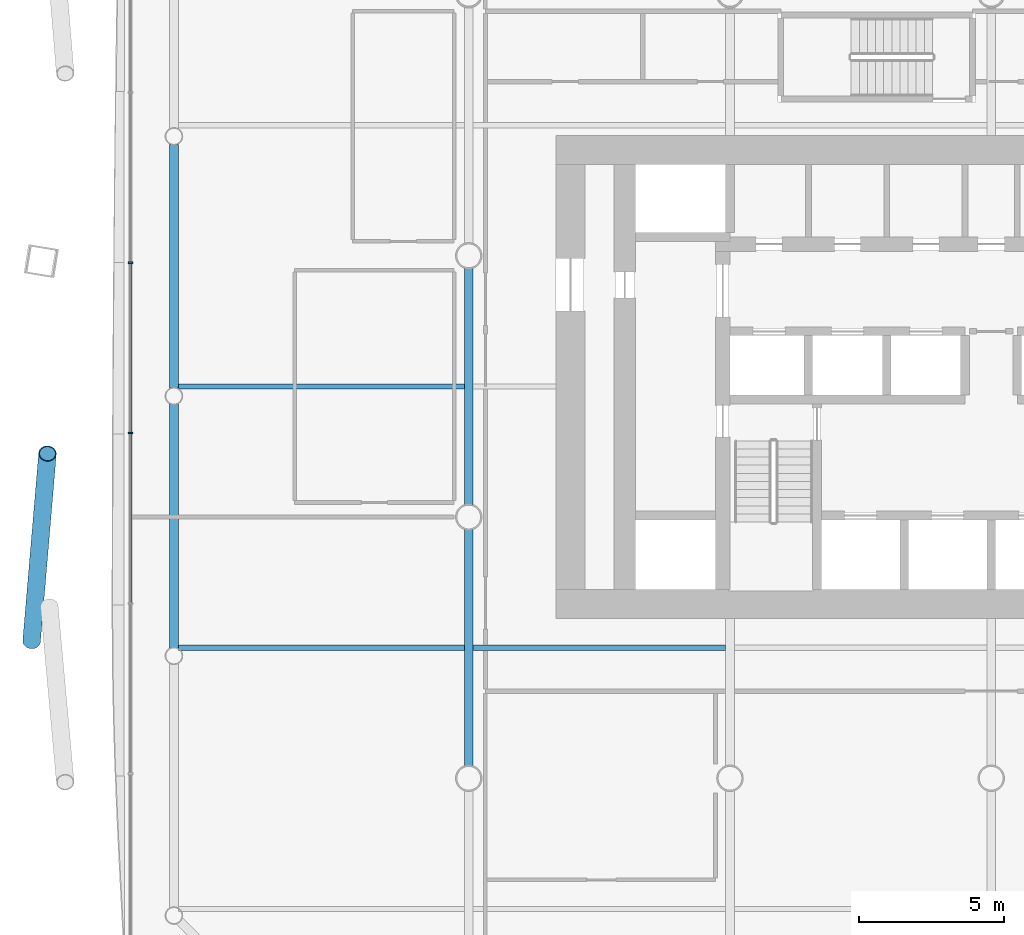
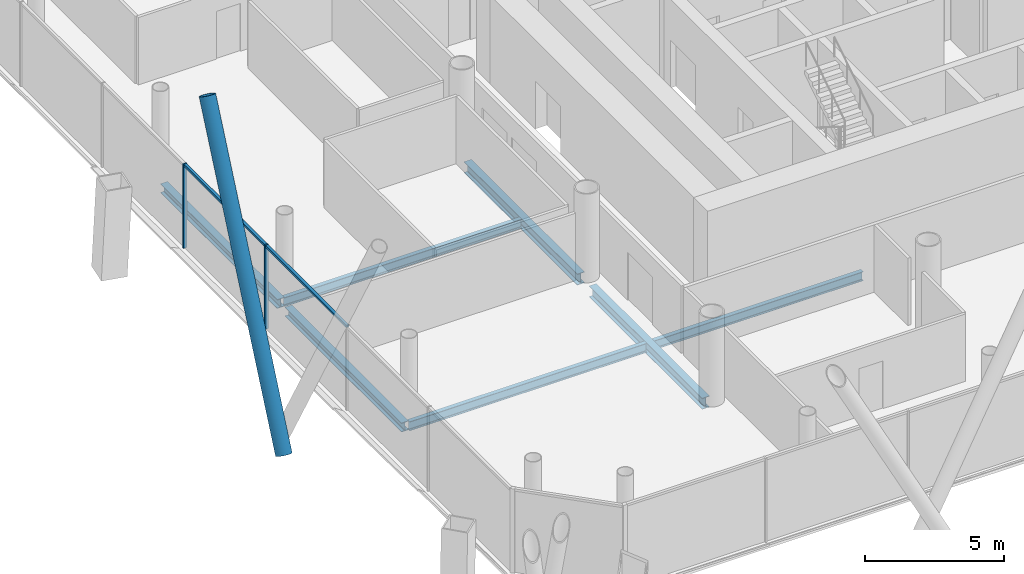
# One storey, part 5 of 25: 7 beams, 5 members, 1 element without a shape of its own.
"""IFC4 building model written with IfcOpenShell, lengths in metres."""

import ifcopenshell
import ifcopenshell.guid

model = None  # the IFC model being written
_history = None  # IfcOwnerHistory: only IFC2X3 demands one
_inside = {}  # id of a spatial element -> (the spatial element, [elements in it])
_under = {}  # id of a project, library or spatial element -> (it, [spatial elements below it])
_declared = {}  # id of a project -> (the project, [libraries it declares])
_typed = {}  # id of a type object -> (the type object, [elements of that type])
_made_of = {}  # id of a material, layer set ... -> (it, [elements and type objects made of it])


def new_model(schema):
    """Start an empty IFC model of exactly this schema.

    Asked for "IFC4X3", IfcOpenShell would pick the latest addendum, in which some entities
    have other attributes; the version numbers below select the first issue.
    IFC2X3 requires an IfcOwnerHistory on every rooted entity: one is made here for all.
    """
    global model, _history
    if schema == "IFC4X3":
        model = ifcopenshell.file(schema_version=(4, 3, 0, 0))
    else:
        model = ifcopenshell.file(schema=schema)
    _inside.clear()
    _under.clear()
    _declared.clear()
    _typed.clear()
    _made_of.clear()
    _history = None
    if model.schema == "IFC2X3":
        org = make("IfcOrganization", Name="unknown")
        user = make(
            "IfcPersonAndOrganization",
            ThePerson=make("IfcPerson", FamilyName="unknown"),
            TheOrganization=org,
        )
        app = make(
            "IfcApplication",
            ApplicationDeveloper=org,
            Version="unknown",
            ApplicationFullName="unknown",
            ApplicationIdentifier="unknown",
        )
        _history = make(
            "IfcOwnerHistory",
            OwningUser=user,
            OwningApplication=app,
            ChangeAction="ADDED",
            CreationDate=0,
        )
    return model


def make(cls, **values):
    """One entity of the class cls with the attributes given. An attribute that is None is left unset."""
    return model.create_entity(
        cls, **{name: value for name, value in values.items() if value is not None}
    )


def rooted(cls, **values):
    """An entity with a GlobalId (a new one), such as an element, a storey or a relation."""
    return make(cls, GlobalId=ifcopenshell.guid.new(), OwnerHistory=_history, **values)


def si_unit(unit_type, name, prefix=None):
    """IfcSIUnit, for example si_unit("LENGTHUNIT", "METRE", prefix="MILLI")."""
    return make("IfcSIUnit", UnitType=unit_type, Prefix=prefix, Name=name)


def assignment(units):
    """IfcUnitAssignment: the units of a project."""
    return None if units is None else make("IfcUnitAssignment", Units=units)


def point(xyz):
    """IfcCartesianPoint."""
    return None if xyz is None else make("IfcCartesianPoint", Coordinates=xyz)


def direction(xyz):
    """IfcDirection."""
    return None if xyz is None else make("IfcDirection", DirectionRatios=xyz)


def frame(location, z_axis=None, x_axis=None):
    """IfcAxis2Placement3D, a coordinate frame: its origin and axes. An axis left out is left unset."""
    return make(
        "IfcAxis2Placement3D",
        Location=point(location),
        Axis=direction(z_axis),
        RefDirection=direction(x_axis),
    )


def frame_2d(location, x_axis=None):
    """IfcAxis2Placement2D, a coordinate frame in the plane: its origin and x axis."""
    return make(
        "IfcAxis2Placement2D", Location=point(location), RefDirection=direction(x_axis)
    )


def origin():
    """The frame at (0, 0, 0) with its axes left unset."""
    return frame((0.0, 0.0, 0.0))


def origin_2d():
    """The frame at (0, 0) in the plane with its x axis left unset."""
    return frame_2d((0.0, 0.0))


def place(relative_to, where):
    """IfcLocalPlacement: puts the frame where relative to a parent placement (None: the world)."""
    return make(
        "IfcLocalPlacement", PlacementRelTo=relative_to, RelativePlacement=where
    )


def context(
    kind, dimensions, precision=None, world=None, true_north=None, identifier=None
):
    """IfcGeometricRepresentationContext, for example the 3D "Model" context."""
    return make(
        "IfcGeometricRepresentationContext",
        ContextIdentifier=identifier,
        ContextType=kind,
        CoordinateSpaceDimension=dimensions,
        Precision=precision,
        WorldCoordinateSystem=world,
        TrueNorth=true_north,
    )


def subcontext(parent, identifier, kind, view, scale=None):
    """IfcGeometricRepresentationSubContext, for example "Body" below "Model"."""
    return make(
        "IfcGeometricRepresentationSubContext",
        ContextIdentifier=identifier,
        ContextType=kind,
        ParentContext=parent,
        TargetScale=scale,
        TargetView=view,
    )


def project(units=None, contexts=None):
    """IfcProject with its units and contexts."""
    return rooted(
        "IfcProject",
        Name="project",
        RepresentationContexts=contexts,
        UnitsInContext=assignment(units),
    )


def spatial(cls, under=None, at=None, **own):
    """A site, building, storey or space (cls), placed at a placement, below another one or the project."""
    s = rooted(cls, ObjectPlacement=at, **own)
    if under is not None:
        _under.setdefault(under.id(), (under, []))[1].append(s)
    return s


def profile(cls, at=None, kind="AREA", **sizes):
    """A parametric profile (cls). Its sizes go by their IFC names, for example OverallWidth=200.0."""
    return make(cls, ProfileType=kind, Position=at, **sizes)


def rectangle(**sizes):
    """IfcRectangleProfileDef."""
    return profile("IfcRectangleProfileDef", **sizes)


def hollow_circle(**sizes):
    """IfcCircleHollowProfileDef."""
    return profile("IfcCircleHollowProfileDef", **sizes)


def i_section(**sizes):
    """IfcIShapeProfileDef."""
    return profile("IfcIShapeProfileDef", **sizes)


def extrude(swept, where, along, depth):
    """IfcExtrudedAreaSolid: the profile swept, set in the frame where, extruded along a direction by depth."""
    return make(
        "IfcExtrudedAreaSolid",
        SweptArea=swept,
        Position=where,
        ExtrudedDirection=direction(along),
        Depth=depth,
    )


def shape(context_of_items, identifier, shape_type, items):
    """IfcShapeRepresentation: the items that make up one representation, for example the "Body"."""
    return make(
        "IfcShapeRepresentation",
        ContextOfItems=context_of_items,
        RepresentationIdentifier=identifier,
        RepresentationType=shape_type,
        Items=items,
    )


def material(Name=None, Category=None):
    """IfcMaterial."""
    return make("IfcMaterial", Name=Name, Category=Category)


def material_profile(
    of_material, cross_section, Name=None, Category=None, Priority=None
):
    """IfcMaterialProfile: a cross section and its material."""
    return make(
        "IfcMaterialProfile",
        Name=Name,
        Material=of_material,
        Profile=cross_section,
        Priority=Priority,
        Category=Category,
    )


def profile_set(profiles, Name=None, composite=None):
    """IfcMaterialProfileSet."""
    return make(
        "IfcMaterialProfileSet",
        Name=Name,
        MaterialProfiles=profiles,
        CompositeProfile=composite,
    )


def made_of(thing, what):
    """Note that an element or type object is made of a material, layer set ...; save() writes the relation."""
    if what is not None:
        _made_of.setdefault(what.id(), (what, []))[1].append(thing)
    return thing


def type_object(cls, material=None, **own):
    """A type object (cls), such as IfcWallType, which elements share."""
    return made_of(rooted(cls, **own), material)


def element(
    cls,
    number,
    at=None,
    inside=None,
    cuts=None,
    type_object=None,
    material=None,
    context=None,
    identifier="Body",
    shape_type=None,
    held_by="IfcProductDefinitionShape",
    body=None,
    shapes=None,
    **own,
):
    """One element of the class cls, such as IfcWall. Its Tag is "e" and its number.

    at: its placement. inside: the storey or other place that contains it. cuts: it is an
    opening in that element (IfcRelVoidsElement). A single representation is given by context,
    identifier, shape_type and body (its items); several are given by shapes. held_by: the class
    of the entity that holds the representations. save() writes the other relations.
    """
    e = rooted(cls, Tag="e%d" % number, ObjectPlacement=at, **own)
    if body is not None:
        shapes = [shape(context, identifier, shape_type, body)]
    if shapes is not None:
        e.Representation = make(held_by, Representations=shapes)
    if inside is not None:
        _inside.setdefault(inside.id(), (inside, []))[1].append(e)
    if cuts is not None:
        rooted(
            "IfcRelVoidsElement", RelatingBuildingElement=cuts, RelatedOpeningElement=e
        )
    if type_object is not None:
        _typed.setdefault(type_object.id(), (type_object, []))[1].append(e)
    return made_of(e, material)


def aggregate(whole, parts):
    """IfcRelAggregates: a whole, such as a stair, and the parts it consists of."""
    return rooted("IfcRelAggregates", RelatingObject=whole, RelatedObjects=parts)


def save(model, path):
    """Write the relations noted so far, then the file.

    IfcRelAggregates (storeys below a building ...), IfcRelContainedInSpatialStructure (elements
    in a storey), IfcRelDefinesByType, IfcRelAssociatesMaterial and IfcRelDeclares: one each for
    every whole, place, type object, material and project.
    """
    for whole, parts in _under.values():
        aggregate(whole, parts)
    for where, things in _inside.values():
        rooted(
            "IfcRelContainedInSpatialStructure",
            RelatedElements=things,
            RelatingStructure=where,
        )
    for kind, things in _typed.values():
        rooted("IfcRelDefinesByType", RelatedObjects=things, RelatingType=kind)
    for what, things in _made_of.values():
        rooted("IfcRelAssociatesMaterial", RelatedObjects=things, RelatingMaterial=what)
    for by, libraries in _declared.values():
        rooted("IfcRelDeclares", RelatingContext=by, RelatedDefinitions=libraries)
    model.write(path)


model = new_model("IFC4")

# Units and contexts
model_context = context("Model", 3, precision=1e-05, world=origin(), true_north=direction((0.0, 1.0)))
body_context = subcontext(model_context, "Body", "Model", "MODEL_VIEW")
ifc_project = project(units=[si_unit("LENGTHUNIT", "METRE"), si_unit("AREAUNIT", "SQUARE_METRE"), si_unit("VOLUMEUNIT", "CUBIC_METRE"), si_unit("PLANEANGLEUNIT", "RADIAN"), si_unit("MASSUNIT", "GRAM", prefix="KILO")], contexts=[model_context])

# Site, building, storey
site_placement = place(None, origin())
site = spatial("IfcSite", under=ifc_project, at=site_placement, CompositionType="ELEMENT")
building_placement = place(site_placement, origin())
building = spatial("IfcBuilding", under=site, at=building_placement, Name="Tskaro Facet Tower", CompositionType="ELEMENT")
storey_placement = place(building_placement, frame((0.0, 0.0, 34.199951171875)))
storey = spatial("IfcBuildingStorey", under=building, at=storey_placement, Name="L07", CompositionType="ELEMENT", Elevation=34.199951171875)

# Member
ifc_material_1 = material(Name="Steel S355J2H", Category="steel")
ifc_material_profile_1 = material_profile(ifc_material_1, hollow_circle(Radius=0.304931640625, WallThickness=0.030029296875, at=origin_2d()), Name="CHS 610x30")
ifc_profile_set_1 = profile_set([ifc_material_profile_1], Name="Steel S355J2H")
member_type_1 = type_object("IfcMemberType", Name="CHS 610x30 brace", PredefinedType="BRACE", material=ifc_profile_set_1)
member_1_placement = place(storey_placement, frame((-33.0595703125, -13.26953125, 0.0), z_axis=(0.040963628043, 0.482709989456, 0.874821723128), x_axis=(-0.996418571537, 0.084557851777, 0.0)))
element("IfcMember", 1, at=member_1_placement, inside=storey, type_object=member_type_1, Name="CHS 610x30 XB11B/1", PredefinedType="BRACE", context=body_context, shape_type="SweptSolid", body=[
    extrude(hollow_circle(Radius=0.304931640625, WallThickness=0.030029296875, at=origin_2d()), origin(), (0.0, 0.0, 1.0), 13.3740234375),
])

# Curtain wall, members
ifc_material_2 = material(Name="Bronze anodised aluminium 6063-T6", Category="aluminium")
curtain_wall_type = type_object("IfcCurtainWallType", Name="Bronze office curtain wall (FW1)", PredefinedType="NOTDEFINED", material=ifc_material_2)
curtain_wall_placement = place(storey_placement, origin())
curtain_wall = element("IfcCurtainWall", 2, at=curtain_wall_placement, inside=storey, type_object=curtain_wall_type, Name="FW1 west facet L07", PredefinedType="NOTDEFINED")
ifc_material_profile_2 = material_profile(ifc_material_2, rectangle(XDim=0.06005859375, YDim=0.159912109375, at=origin_2d()), Name="Mullion 60x160")
ifc_profile_set_2 = profile_set([ifc_material_profile_2], Name="Bronze anodised aluminium 6063-T6")
member_type_2 = type_object("IfcMemberType", Name="FW1 bronze mullion 60x160", PredefinedType="MULLION", material=ifc_profile_set_2)
member_2_placement = place(storey_placement, frame((-29.654052734375, -0.239013671875, 0.0), z_axis=(0.0, 0.0, 1.0), x_axis=(0.0, -1.0, 0.0)))
member_2 = element("IfcMember", 3, at=member_2_placement, type_object=member_type_2, Name="FW1 west mullion 4", PredefinedType="MULLION", context=body_context, shape_type="SweptSolid", body=[
    extrude(rectangle(XDim=0.06005859375, YDim=0.159912109375, at=origin_2d()), origin(), (0.0, 0.0, 1.0), 3.699951171875),
])
member_3_placement = place(storey_placement, frame((-29.654052734375, -6.107421875, 0.0), z_axis=(0.0, 0.0, 1.0), x_axis=(0.0, -1.0, 0.0)))
member_3 = element("IfcMember", 4, at=member_3_placement, type_object=member_type_2, Name="FW1 west mullion 5", PredefinedType="MULLION", context=body_context, shape_type="SweptSolid", body=[
    extrude(rectangle(XDim=0.06005859375, YDim=0.159912109375, at=origin_2d()), origin(), (0.0, 0.0, 1.0), 3.699951171875),
])
ifc_material_profile_3 = material_profile(ifc_material_2, rectangle(XDim=0.1201171875, YDim=0.10009765625, at=origin_2d()), Name="Transom 120x100")
ifc_profile_set_3 = profile_set([ifc_material_profile_3], Name="Bronze anodised aluminium 6063-T6")
member_type_3 = type_object("IfcMemberType", Name="FW1 bronze transom 120x100", PredefinedType="USERDEFINED", material=ifc_profile_set_3)
member_4_placement = place(storey_placement, frame((-29.654052734375, -0.26904296875, 3.650146484375), z_axis=(0.0, -1.0, 0.0), x_axis=(1.0, 0.0, 0.0)))
member_4 = element("IfcMember", 5, at=member_4_placement, type_object=member_type_3, Name="FW1 west transom 5.1", ObjectType="TRANSOM", PredefinedType="USERDEFINED", context=body_context, shape_type="SweptSolid", body=[
    extrude(rectangle(XDim=0.1201171875, YDim=0.10009765625, at=origin_2d()), origin(), (0.0, 0.0, 1.0), 5.808349609375),
])
member_5_placement = place(storey_placement, frame((-29.654052734375, -6.137451171875, 3.650146484375), z_axis=(0.0, -1.0, 0.0), x_axis=(1.0, 0.0, 0.0)))
member_5 = element("IfcMember", 6, at=member_5_placement, type_object=member_type_3, Name="FW1 west transom 6.1", ObjectType="TRANSOM", PredefinedType="USERDEFINED", context=body_context, shape_type="SweptSolid", body=[
    extrude(rectangle(XDim=0.1201171875, YDim=0.10009765625, at=origin_2d()), origin(), (0.0, 0.0, 1.0), 5.80859375),
])
aggregate(curtain_wall, [member_2, member_3, member_4, member_5])

# Beams
ifc_material_3 = material(Name="Steel S355J2", Category="steel")
ifc_material_profile_4 = material_profile(ifc_material_3, i_section(OverallWidth=0.300048828125, OverallDepth=0.39990234375, WebThickness=0.013427734375, FlangeThickness=0.02392578125, FilletRadius=0.027099609375, at=origin_2d()), Name="HE 400 B")
ifc_profile_set_4 = profile_set([ifc_material_profile_4], Name="Steel S355J2")
beam_type_1 = type_object("IfcBeamType", Name="HE 400 B ring beam", PredefinedType="BEAM", material=ifc_profile_set_4)
beam_1_placement = place(storey_placement, frame((-28.156982421875, 3.841064453125, -0.33984375), z_axis=(0.0, -1.0, 0.0), x_axis=(1.0, 0.0, 0.0)))
element("IfcBeam", 7, at=beam_1_placement, inside=storey, type_object=beam_type_1, Name="HE 400 B EB22-1", PredefinedType="BEAM", context=body_context, shape_type="SweptSolid", body=[
    extrude(i_section(OverallWidth=0.300048828125, OverallDepth=0.39990234375, WebThickness=0.013427734375, FlangeThickness=0.02392578125, FilletRadius=0.027099609375, at=origin_2d()), origin(), (0.0, 0.0, 1.0), 8.399169921875),
])
beam_2_placement = place(storey_placement, frame((-28.156982421875, -5.10791015625, -0.33984375), z_axis=(0.0, -1.0, 0.0), x_axis=(1.0, 0.0, 0.0)))
element("IfcBeam", 8, at=beam_2_placement, inside=storey, type_object=beam_type_1, Name="HE 400 B EB23-1", PredefinedType="BEAM", context=body_context, shape_type="SweptSolid", body=[
    extrude(i_section(OverallWidth=0.300048828125, OverallDepth=0.39990234375, WebThickness=0.013427734375, FlangeThickness=0.02392578125, FilletRadius=0.027099609375, at=origin_2d()), origin(), (0.0, 0.0, 1.0), 8.398193359375),
])
ifc_material_profile_5 = material_profile(ifc_material_3, i_section(OverallWidth=0.300048828125, OverallDepth=0.489990234375, WebThickness=0.011962890625, FlangeThickness=0.02294921875, FilletRadius=0.027099609375, at=origin_2d()), Name="HE 500 A")
ifc_profile_set_5 = profile_set([ifc_material_profile_5], Name="Steel S355J2")
beam_type_2 = type_object("IfcBeamType", Name="HE 500 A girder", PredefinedType="BEAM", material=ifc_profile_set_5)
for number, where, z_axis, x_axis, name in (
    (9, (-18.0, -17.57275390625, -0.385009765625), (0.0, 1.0, 0.0), (-1.0, 0.0, 0.0), "HE 500 A GB2-2-1"),
    (10, (-18.0, -8.57275390625, -0.385009765625), (0.0, 1.0, 0.0), (-1.0, 0.0, 0.0), "HE 500 A GB2-3-1"),
):
    element("IfcBeam", number, at=place(storey_placement, frame(where, z_axis=z_axis, x_axis=x_axis)), inside=storey, type_object=beam_type_2, Name=name, PredefinedType="BEAM", context=body_context, shape_type="SweptSolid", body=[
        extrude(i_section(OverallWidth=0.300048828125, OverallDepth=0.489990234375, WebThickness=0.011962890625, FlangeThickness=0.02294921875, FilletRadius=0.027099609375, at=origin_2d()), origin(), (0.0, 0.0, 1.0), 8.1455078125),
    ])
ifc_material_profile_6 = material_profile(ifc_material_3, i_section(OverallWidth=0.179931640625, OverallDepth=0.39990234375, WebThickness=0.008544921875, FlangeThickness=0.013427734375, FilletRadius=0.02099609375, at=origin_2d()), Name="IPE 400")
ifc_profile_set_6 = profile_set([ifc_material_profile_6], Name="Steel S355J2")
beam_type_3 = type_object("IfcBeamType", Name="IPE 400 secondary beam", PredefinedType="BEAM", material=ifc_profile_set_6)
beam_3_placement = place(storey_placement, frame((-28.007080078125, -13.5, -0.33984375), z_axis=(1.0, 0.0, 0.0), x_axis=(0.0, 1.0, 0.0)))
element("IfcBeam", 11, at=beam_3_placement, inside=storey, type_object=beam_type_3, Name="IPE 400 SB2a-1-1", PredefinedType="BEAM", context=body_context, shape_type="SweptSolid", body=[
    extrude(i_section(OverallWidth=0.179931640625, OverallDepth=0.39990234375, WebThickness=0.008544921875, FlangeThickness=0.013427734375, FilletRadius=0.02099609375, at=origin_2d()), origin(), (0.0, 0.0, 1.0), 9.857177734375),
])
beam_4_placement = place(storey_placement, frame((-17.85009765625, -13.5, -0.33984375), z_axis=(1.0, 0.0, 0.0), x_axis=(0.0, 1.0, 0.0)))
element("IfcBeam", 12, at=beam_4_placement, inside=storey, type_object=beam_type_3, Name="IPE 400 SB2a-2-1", PredefinedType="BEAM", context=body_context, shape_type="SweptSolid", body=[
    extrude(i_section(OverallWidth=0.179931640625, OverallDepth=0.39990234375, WebThickness=0.008544921875, FlangeThickness=0.013427734375, FilletRadius=0.02099609375, at=origin_2d()), origin(), (0.0, 0.0, 1.0), 8.7001953125),
])
beam_5_placement = place(storey_placement, frame((-28.007080078125, -4.5, -0.33984375), z_axis=(1.0, 0.0, 0.0), x_axis=(0.0, 1.0, 0.0)))
element("IfcBeam", 13, at=beam_5_placement, inside=storey, type_object=beam_type_3, Name="IPE 400 SB3a-1-1", PredefinedType="BEAM", context=body_context, shape_type="SweptSolid", body=[
    extrude(i_section(OverallWidth=0.179931640625, OverallDepth=0.39990234375, WebThickness=0.008544921875, FlangeThickness=0.013427734375, FilletRadius=0.02099609375, at=origin_2d()), origin(), (0.0, 0.0, 1.0), 9.857177734375),
])

save(model, "model.ifc")
